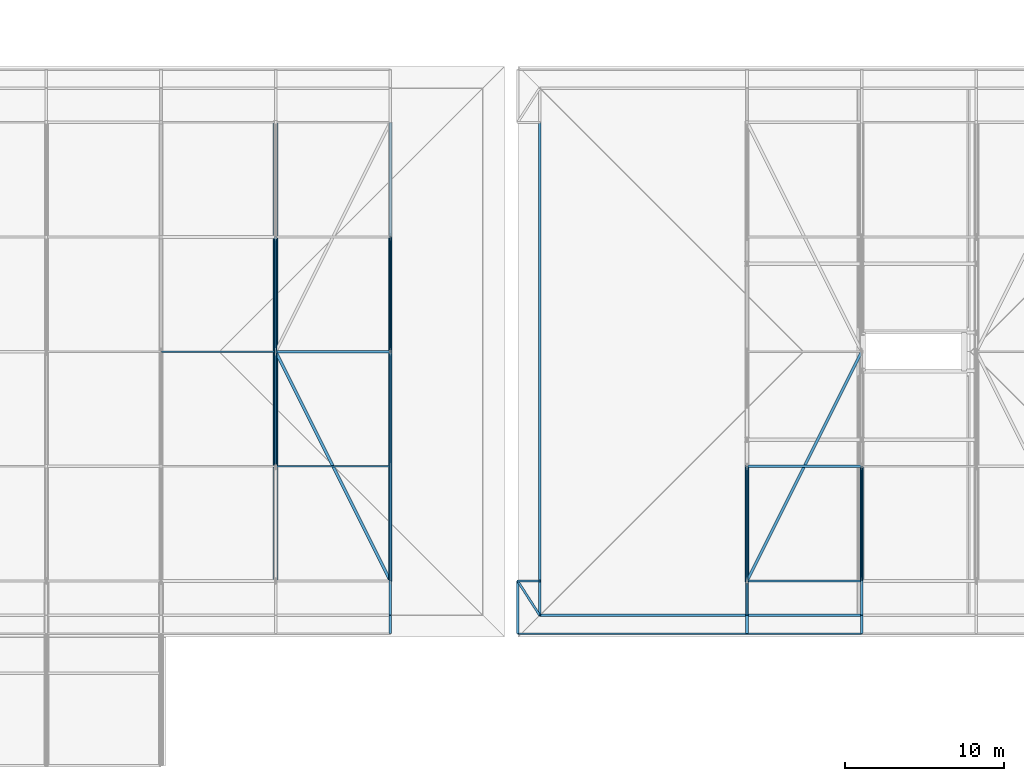
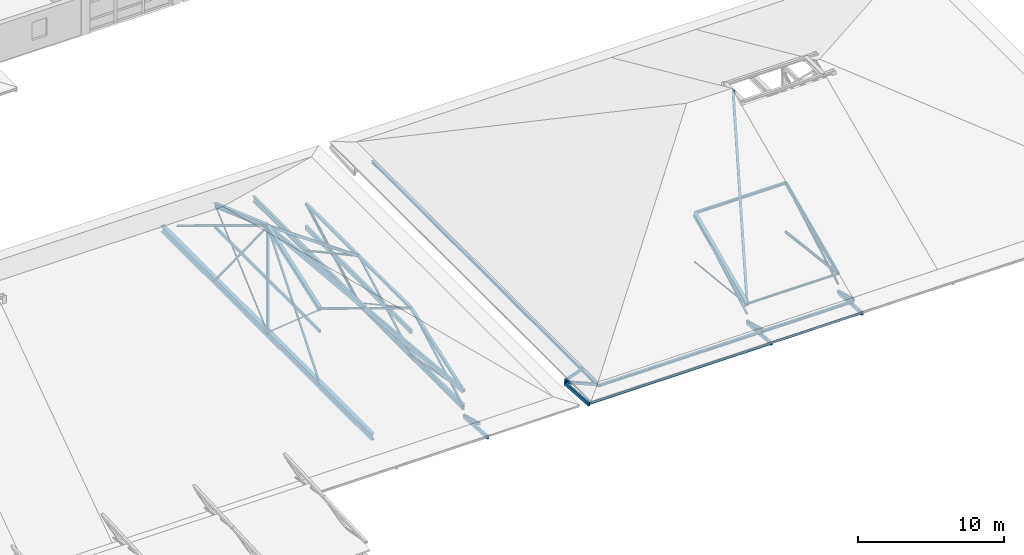
# One storey, part 10 of 100: 46 members, 2 beams.
"""IFC4 building model written with IfcOpenShell, lengths in metres."""

from ifc_helpers import new_model, si_unit, direction, frame, origin, origin_2d, place, context, subcontext, project, spatial, rectangle, hollow_rectangle, hollow_circle, i_section, extrude, material, material_profile, profile_set, type_object, element, save


model = new_model("IFC4")

# Units and contexts
model_context = context("Model", 3, precision=1e-05, world=origin(), true_north=direction((0.0, 1.0)))
body_context = subcontext(model_context, "Body", "Model", "MODEL_VIEW")
ifc_project = project(units=[si_unit("LENGTHUNIT", "METRE"), si_unit("AREAUNIT", "SQUARE_METRE"), si_unit("VOLUMEUNIT", "CUBIC_METRE"), si_unit("PLANEANGLEUNIT", "RADIAN"), si_unit("MASSUNIT", "GRAM", prefix="KILO")], contexts=[model_context])

# Site, building, storey
site_placement = place(None, origin())
site = spatial("IfcSite", under=ifc_project, at=site_placement, CompositionType="ELEMENT")
building_placement = place(site_placement, origin())
building = spatial("IfcBuilding", under=site, at=building_placement, Name="Steenspoor Specialist Clinic", CompositionType="ELEMENT")
storey_placement = place(building_placement, frame((0.0, 0.0, 9.0)))
storey = spatial("IfcBuildingStorey", under=building, at=storey_placement, Name="L02", CompositionType="ELEMENT", Elevation=9.0)

# Beams
ifc_material_1 = material(Name="Steel A992 Grade 50", Category="steel")
ifc_material_profile_1 = material_profile(ifc_material_1, i_section(OverallWidth=0.193115234375, OverallDepth=0.466064453125, WebThickness=0.011474609375, FlangeThickness=0.01904296875, at=origin_2d()), Name="W460X97")
ifc_profile_set_1 = profile_set([ifc_material_profile_1], Name="Steel A992 Grade 50")
beam_type_1 = type_object("IfcBeamType", Name="BM-ST-W460X97", PredefinedType="BEAM", material=ifc_profile_set_1)
beam_1_placement = place(storey_placement, frame((110.0, 13.050048828125, 0.2529296875), z_axis=(0.0, 1.0, 0.0), x_axis=(-1.0, 0.0, 0.0)))
element("IfcBeam", 1, at=beam_1_placement, inside=storey, type_object=beam_type_1, Name="ROOF TRUSS Bottom Tie Chord V1 10", PredefinedType="BEAM", context=body_context, shape_type="SweptSolid", body=[
    extrude(i_section(OverallWidth=0.193115234375, OverallDepth=0.466064453125, WebThickness=0.011474609375, FlangeThickness=0.01904296875, at=origin_2d()), origin(), (0.0, 0.0, 1.0), 28.800048828125),
])
ifc_material_profile_2 = material_profile(ifc_material_1, i_section(OverallWidth=0.31201171875, OverallDepth=0.54296875, WebThickness=0.0126953125, FlangeThickness=0.020263671875, at=origin_2d()), Name="W530X150")
ifc_profile_set_2 = profile_set([ifc_material_profile_2], Name="Steel A992 Grade 50")
beam_type_2 = type_object("IfcBeamType", Name="BM-ST-W530X150", PredefinedType="BEAM", material=ifc_profile_set_2)
beam_2_placement = place(storey_placement, frame((102.800048828125, 13.050048828125, 0.29150390625), z_axis=(0.0, 1.0, 0.0), x_axis=(-1.0, 0.0, 0.0)))
element("IfcBeam", 2, at=beam_2_placement, inside=storey, type_object=beam_type_2, Name="ROOF TRUSS Bottom Tie Chord V1 9", PredefinedType="BEAM", context=body_context, shape_type="SweptSolid", body=[
    extrude(i_section(OverallWidth=0.31201171875, OverallDepth=0.54296875, WebThickness=0.0126953125, FlangeThickness=0.020263671875, at=origin_2d()), origin(), (0.0, 0.0, 1.0), 28.800048828125),
])

# Members
ifc_material_2 = material(Name="Steel A500 Grade C", Category="steel")
ifc_material_profile_3 = material_profile(ifc_material_2, hollow_circle(Radius=0.084228515625, WallThickness=0.007080078125, at=origin_2d()), Name="CHS168X7.1")
ifc_profile_set_3 = profile_set([ifc_material_profile_3], Name="Steel A500 Grade C")
member_type_1 = type_object("IfcMemberType", Name="MEM-BRACE-CHS168", PredefinedType="BRACE", material=ifc_profile_set_3)
member_1_placement = place(storey_placement, frame((110.0, 27.449951171875, 4.16650390625), z_axis=(0.0, 0.878595976808, -0.477565816969), x_axis=(-1.0, 0.0, 0.0)))
element("IfcMember", 3, at=member_1_placement, inside=storey, type_object=member_type_1, Name="ROOF TRUSS Web Brace V1 10.3", PredefinedType="BRACE", context=body_context, shape_type="SweptSolid", body=[
    extrude(hollow_circle(Radius=0.084228515625, WallThickness=0.007080078125, at=origin_2d()), origin(), (0.0, 0.0, 1.0), 8.19482421875),
])
member_2_placement = place(storey_placement, frame((139.60009765625, 13.050048828125, 0.174072265625), z_axis=(0.0, 0.868103625406, 0.496383012961), x_axis=(-1.0, 0.0, 0.0)))
element("IfcMember", 4, at=member_2_placement, inside=storey, type_object=member_type_1, Name="ROOF TRUSS Web Brace V2 4.1", PredefinedType="BRACE", context=body_context, shape_type="SweptSolid", body=[
    extrude(hollow_circle(Radius=0.084228515625, WallThickness=0.007080078125, at=origin_2d()), origin(), (0.0, 0.0, 1.0), 8.2939453125),
])
ifc_material_profile_4 = material_profile(ifc_material_2, hollow_rectangle(XDim=0.126953125, YDim=0.126953125, WallThickness=0.0087890625, at=origin_2d()), Name="HSS127X127X9.5")
ifc_profile_set_4 = profile_set([ifc_material_profile_4], Name="Steel A500 Grade C")
member_type_2 = type_object("IfcMemberType", Name="MEM-BRACE-H127A", PredefinedType="BRACE", material=ifc_profile_set_4)
member_3_placement = place(storey_placement, frame((102.800048828125, 20.25, 0.29150390625), z_axis=(0.0, 0.629637268652, 0.776889252033), x_axis=(-1.0, 0.0, 0.0)))
element("IfcMember", 5, at=member_3_placement, inside=storey, type_object=member_type_2, Name="ROOF TRUSS Web Brace V1 9.2", PredefinedType="BRACE", context=body_context, shape_type="SweptSolid", body=[
    extrude(hollow_rectangle(XDim=0.126953125, YDim=0.126953125, WallThickness=0.0087890625, at=origin_2d()), origin(), (0.0, 0.0, 1.0), 11.43505859375),
])
member_4_placement = place(storey_placement, frame((110.0, 13.050048828125, 0.2529296875), z_axis=(0.0, 0.878595976808, 0.477565816969), x_axis=(-1.0, 0.0, 0.0)))
element("IfcMember", 6, at=member_4_placement, inside=storey, type_object=member_type_2, Name="ROOF TRUSS Web Brace V1 10.1", PredefinedType="BRACE", context=body_context, shape_type="SweptSolid", body=[
    extrude(hollow_rectangle(XDim=0.126953125, YDim=0.126953125, WallThickness=0.0087890625, at=origin_2d()), origin(), (0.0, 0.0, 1.0), 8.19482421875),
])
ifc_material_profile_5 = material_profile(ifc_material_2, hollow_rectangle(XDim=0.126953125, YDim=0.126953125, WallThickness=0.005859375, at=origin_2d()), Name="HSS127X127X6.4")
ifc_profile_set_5 = profile_set([ifc_material_profile_5], Name="Steel A500 Grade C")
member_type_3 = type_object("IfcMemberType", Name="MEM-BRACE-H127B", PredefinedType="BRACE", material=ifc_profile_set_5)
member_5_placement = place(storey_placement, frame((102.800048828125, 27.449951171875, 9.17529296875), z_axis=(0.0, 0.629637268652, -0.776889252033), x_axis=(-1.0, 0.0, 0.0)))
element("IfcMember", 7, at=member_5_placement, inside=storey, type_object=member_type_3, Name="ROOF TRUSS Web Brace V1 9.3", PredefinedType="BRACE", context=body_context, shape_type="SweptSolid", body=[
    extrude(hollow_rectangle(XDim=0.126953125, YDim=0.126953125, WallThickness=0.005859375, at=origin_2d()), origin(), (0.0, 0.0, 1.0), 11.43505859375),
])
member_6_placement = place(storey_placement, frame((110.0, 20.25, 0.2529296875), z_axis=(0.0, 0.878595976808, 0.477565816969), x_axis=(-1.0, 0.0, 0.0)))
element("IfcMember", 8, at=member_6_placement, inside=storey, type_object=member_type_3, Name="ROOF TRUSS Web Brace V1 10.2", PredefinedType="BRACE", context=body_context, shape_type="SweptSolid", body=[
    extrude(hollow_rectangle(XDim=0.126953125, YDim=0.126953125, WallThickness=0.005859375, at=origin_2d()), origin(), (0.0, 0.0, 1.0), 8.19482421875),
])
member_7_placement = place(storey_placement, frame((132.39990234375, 13.050048828125, 0.201416015625), z_axis=(0.0, 0.873299671709, 0.487183418635), x_axis=(-1.0, 0.0, 0.0)))
element("IfcMember", 9, at=member_7_placement, inside=storey, type_object=member_type_3, Name="ROOF TRUSS Web Brace V2 3.1", PredefinedType="BRACE", context=body_context, shape_type="SweptSolid", body=[
    extrude(hollow_rectangle(XDim=0.126953125, YDim=0.126953125, WallThickness=0.005859375, at=origin_2d()), origin(), (0.0, 0.0, 1.0), 8.24462890625),
])
ifc_material_profile_6 = material_profile(ifc_material_2, hollow_rectangle(XDim=0.203125, YDim=0.203125, WallThickness=0.01171875, at=origin_2d()), Name="HSS203X203X12.7")
ifc_profile_set_6 = profile_set([ifc_material_profile_6], Name="Steel A500 Grade C")
member_type_4 = type_object("IfcMemberType", Name="MEM-CHORD-H203", PredefinedType="CHORD", material=ifc_profile_set_6)
member_8_placement = place(storey_placement, frame((110.0, 13.050048828125, 1.580078125), z_axis=(0.0, 0.941118667629, 0.338076401779), x_axis=(-1.0, 0.0, 0.0)))
element("IfcMember", 10, at=member_8_placement, inside=storey, type_object=member_type_4, Name="ROOF TRUSS Top Chord V1 10.1", PredefinedType="CHORD", context=body_context, shape_type="SweptSolid", body=[
    extrude(hollow_rectangle(XDim=0.203125, YDim=0.203125, WallThickness=0.01171875, at=origin_2d()), origin(), (0.0, 0.0, 1.0), 7.650390625),
])
for number, where, z_axis, x_axis, name in (
    (11, (110.0, 20.25, 4.16650390625), (0.0, 1.0, 0.0), (-1.0, 0.0, 0.0), "ROOF TRUSS Top Chord V1 10.2"),
    (12, (110.0, 27.449951171875, 4.16650390625), (0.0, 1.0, 0.0), (-1.0, 0.0, 0.0), "ROOF TRUSS Top Chord V1 10.3"),
):
    element("IfcMember", number, at=place(storey_placement, frame(where, z_axis=z_axis, x_axis=x_axis)), inside=storey, type_object=member_type_4, Name=name, PredefinedType="CHORD", context=body_context, shape_type="SweptSolid", body=[
        extrude(hollow_rectangle(XDim=0.203125, YDim=0.203125, WallThickness=0.01171875, at=origin_2d()), origin(), (0.0, 0.0, 1.0), 7.199951171875),
    ])
member_9_placement = place(storey_placement, frame((139.60009765625, 13.050048828125, 1.0439453125), z_axis=(0.0, 0.911585166911, 0.411111278692), x_axis=(-1.0, 0.0, 0.0)))
element("IfcMember", 13, at=member_9_placement, inside=storey, type_object=member_type_4, Name="ROOF TRUSS Top Chord V2 4.1", PredefinedType="CHORD", context=body_context, shape_type="SweptSolid", body=[
    extrude(hollow_rectangle(XDim=0.203125, YDim=0.203125, WallThickness=0.01171875, at=origin_2d()), origin(), (0.0, 0.0, 1.0), 7.898193359375),
])
ifc_material_profile_7 = material_profile(ifc_material_1, i_section(OverallWidth=0.257080078125, OverallDepth=0.363037109375, WebThickness=0.012939453125, FlangeThickness=0.021728515625, at=origin_2d()), Name="W360X122")
ifc_profile_set_7 = profile_set([ifc_material_profile_7], Name="Steel A992 Grade 50")
member_type_5 = type_object("IfcMemberType", Name="MEM-CHORD-W360", PredefinedType="CHORD", material=ifc_profile_set_7)
for number, where, z_axis, x_axis, name in (
    (14, (102.800048828125, 20.25, 6.589111328125), (0.0, 0.941128820776, 0.338048136668), (-1.0, 0.0, 0.0), "ROOF TRUSS Top Chord V1 9.2"),
    (15, (102.800048828125, 27.449951171875, 9.17529296875), (0.0, 0.941128820776, -0.338048136668), (-1.0, 0.0, 0.0), "ROOF TRUSS Top Chord V1 9.3"),
):
    element("IfcMember", number, at=place(storey_placement, frame(where, z_axis=z_axis, x_axis=x_axis)), inside=storey, type_object=member_type_5, Name=name, PredefinedType="CHORD", context=body_context, shape_type="SweptSolid", body=[
        extrude(i_section(OverallWidth=0.257080078125, OverallDepth=0.363037109375, WebThickness=0.012939453125, FlangeThickness=0.021728515625, at=origin_2d()), origin(), (0.0, 0.0, 1.0), 7.650390625),
    ])
member_10_placement = place(storey_placement, frame((132.39990234375, 13.050048828125, 0.97119140625), z_axis=(0.0, 0.911596750852, 0.411085591861), x_axis=(-1.0, 0.0, 0.0)))
element("IfcMember", 16, at=member_10_placement, inside=storey, type_object=member_type_5, Name="ROOF TRUSS Top Chord V2 3.1", PredefinedType="CHORD", context=body_context, shape_type="SweptSolid", body=[
    extrude(i_section(OverallWidth=0.257080078125, OverallDepth=0.363037109375, WebThickness=0.012939453125, FlangeThickness=0.021728515625, at=origin_2d()), origin(), (0.0, 0.0, 1.0), 7.898193359375),
])
ifc_material_profile_8 = material_profile(ifc_material_2, hollow_rectangle(XDim=0.1015625, YDim=0.15234375, WallThickness=0.005859375, at=origin_2d()), Name="HSS152X102X6.4")
ifc_profile_set_8 = profile_set([ifc_material_profile_8], Name="Steel A500 Grade C")
member_type_6 = type_object("IfcMemberType", Name="MEM-PURLIN-H152", PredefinedType="PURLIN", material=ifc_profile_set_8)
member_11_placement = place(storey_placement, frame((118.0, 9.75, -0.243408203125), z_axis=(1.0, 0.0, 0.0), x_axis=(0.0, 1.0, 0.0)))
element("IfcMember", 17, at=member_11_placement, inside=storey, type_object=member_type_6, Name="ROOF TRUSS Eave Fascia 94", PredefinedType="PURLIN", context=body_context, shape_type="SweptSolid", body=[
    extrude(hollow_rectangle(XDim=0.1015625, YDim=0.15234375, WallThickness=0.005859375, at=origin_2d()), origin(), (0.0, 0.0, 1.0), 14.39990234375),
])
member_12_placement = place(storey_placement, frame((132.39990234375, 9.75, -0.19482421875), z_axis=(1.0, 0.0, 0.0), x_axis=(0.0, 1.0, 0.0)))
element("IfcMember", 18, at=member_12_placement, inside=storey, type_object=member_type_6, Name="ROOF TRUSS Eave Fascia 95", PredefinedType="PURLIN", context=body_context, shape_type="SweptSolid", body=[
    extrude(hollow_rectangle(XDim=0.1015625, YDim=0.15234375, WallThickness=0.005859375, at=origin_2d()), origin(), (0.0, 0.0, 1.0), 7.2001953125),
])
ifc_material_profile_9 = material_profile(ifc_material_1, i_section(OverallWidth=0.10205078125, OverallDepth=0.159912109375, WebThickness=0.006591796875, FlangeThickness=0.01025390625, at=origin_2d()), Name="W150X24")
ifc_profile_set_9 = profile_set([ifc_material_profile_9], Name="Steel A992 Grade 50")
member_type_7 = type_object("IfcMemberType", Name="MEM-PURLIN-W150", PredefinedType="PURLIN", material=ifc_profile_set_9)
for number, where, z_axis, x_axis, name in (
    (19, (95.60009765625, 27.449951171875, 11.7314453125), (0.945178335277, 0.0, -0.326554611852), (0.0, 1.0, 0.0), "ROOF TRUSS Purlin 74"),
    (20, (102.800048828125, 20.25, 6.657470703125), (0.945168442726, 0.0, -0.326583243409), (0.0, 1.0, 0.0), "ROOF TRUSS Purlin 78"),
):
    element("IfcMember", number, at=place(storey_placement, frame(where, z_axis=z_axis, x_axis=x_axis)), inside=storey, type_object=member_type_7, Name=name, PredefinedType="PURLIN", context=body_context, shape_type="SweptSolid", body=[
        extrude(i_section(OverallWidth=0.10205078125, OverallDepth=0.159912109375, WebThickness=0.006591796875, FlangeThickness=0.01025390625, at=origin_2d()), origin(), (0.0, 0.0, 1.0), 7.61767578125),
    ])
member_13_placement = place(storey_placement, frame((132.39990234375, 13.050048828125, 1.056640625), z_axis=(1.0, 0.0, 0.0), x_axis=(0.0, 1.0, 0.0)))
element("IfcMember", 21, at=member_13_placement, inside=storey, type_object=member_type_7, Name="ROOF TRUSS Purlin 127", PredefinedType="PURLIN", context=body_context, shape_type="SweptSolid", body=[
    extrude(i_section(OverallWidth=0.10205078125, OverallDepth=0.159912109375, WebThickness=0.006591796875, FlangeThickness=0.01025390625, at=origin_2d()), origin(), (0.0, 0.0, 1.0), 7.2001953125),
])
ifc_material_profile_10 = material_profile(ifc_material_1, i_section(OverallWidth=0.1650390625, OverallDepth=0.200927734375, WebThickness=0.006103515625, FlangeThickness=0.01025390625, at=origin_2d()), Name="W200X36")
ifc_profile_set_10 = profile_set([ifc_material_profile_10], Name="Steel A992 Grade 50")
member_type_8 = type_object("IfcMemberType", Name="MEM-PURLIN-W200", PredefinedType="PURLIN", material=ifc_profile_set_10)
member_14_placement = place(storey_placement, frame((102.800048828125, 27.449951171875, 9.223388671875), z_axis=(0.817400862254, 0.0, -0.576069293042), x_axis=(0.0, 1.0, 0.0)))
element("IfcMember", 22, at=member_14_placement, inside=storey, type_object=member_type_8, Name="ROOF TRUSS Purlin 79", PredefinedType="PURLIN", context=body_context, shape_type="SweptSolid", body=[
    extrude(i_section(OverallWidth=0.1650390625, OverallDepth=0.200927734375, WebThickness=0.006103515625, FlangeThickness=0.01025390625, at=origin_2d()), origin(), (0.0, 0.0, 1.0), 8.808349609375),
])
member_15_placement = place(storey_placement, frame((119.3798828125, 10.89990234375, 0.068603515625), z_axis=(1.0, 0.0, 0.0), x_axis=(0.0, 1.0, 0.0)))
element("IfcMember", 23, at=member_15_placement, inside=storey, type_object=member_type_8, Name="ROOF TRUSS Knuckle Purlin 109", PredefinedType="PURLIN", context=body_context, shape_type="SweptSolid", body=[
    extrude(i_section(OverallWidth=0.1650390625, OverallDepth=0.200927734375, WebThickness=0.006103515625, FlangeThickness=0.01025390625, at=origin_2d()), origin(), (0.0, 0.0, 1.0), 13.02001953125),
])
member_16_placement = place(storey_placement, frame((132.39990234375, 10.89990234375, 0.068603515625), z_axis=(1.0, 0.0, 0.0), x_axis=(0.0, 1.0, 0.0)))
element("IfcMember", 24, at=member_16_placement, inside=storey, type_object=member_type_8, Name="ROOF TRUSS Knuckle Purlin 111", PredefinedType="PURLIN", context=body_context, shape_type="SweptSolid", body=[
    extrude(i_section(OverallWidth=0.1650390625, OverallDepth=0.200927734375, WebThickness=0.006103515625, FlangeThickness=0.01025390625, at=origin_2d()), origin(), (0.0, 0.0, 1.0), 7.2001953125),
])
member_17_placement = place(storey_placement, frame((119.3798828125, 10.89990234375, 0.068603515625), z_axis=(0.0, 1.0, 0.0), x_axis=(-1.0, 0.0, 0.0)))
element("IfcMember", 25, at=member_17_placement, inside=storey, type_object=member_type_8, Name="ROOF TRUSS Knuckle Purlin 121", PredefinedType="PURLIN", context=body_context, shape_type="SweptSolid", body=[
    extrude(i_section(OverallWidth=0.1650390625, OverallDepth=0.200927734375, WebThickness=0.006103515625, FlangeThickness=0.01025390625, at=origin_2d()), origin(), (0.0, 0.0, 1.0), 2.150146484375),
])
member_18_placement = place(storey_placement, frame((119.3798828125, 13.050048828125, 0.068603515625), z_axis=(0.0, 1.0, 0.0), x_axis=(-1.0, 0.0, 0.0)))
element("IfcMember", 26, at=member_18_placement, inside=storey, type_object=member_type_8, Name="ROOF TRUSS Knuckle Purlin 122", PredefinedType="PURLIN", context=body_context, shape_type="SweptSolid", body=[
    extrude(i_section(OverallWidth=0.1650390625, OverallDepth=0.200927734375, WebThickness=0.006103515625, FlangeThickness=0.01025390625, at=origin_2d()), origin(), (0.0, 0.0, 1.0), 28.800048828125),
])
member_19_placement = place(storey_placement, frame((132.39990234375, 20.25, 4.282958984375), z_axis=(1.0, 0.0, 0.0), x_axis=(0.0, 1.0, 0.0)))
element("IfcMember", 27, at=member_19_placement, inside=storey, type_object=member_type_8, Name="ROOF TRUSS Purlin 128", PredefinedType="PURLIN", context=body_context, shape_type="SweptSolid", body=[
    extrude(i_section(OverallWidth=0.1650390625, OverallDepth=0.200927734375, WebThickness=0.006103515625, FlangeThickness=0.01025390625, at=origin_2d()), origin(), (0.0, 0.0, 1.0), 7.2001953125),
])
ifc_material_3 = material(Name="Glulam GL28h", Category="wood")
ifc_material_profile_11 = material_profile(ifc_material_3, rectangle(XDim=0.139892578125, YDim=0.219970703125, at=origin_2d()), Name="GL28H-140X220")
ifc_profile_set_11 = profile_set([ifc_material_profile_11], Name="Glulam GL28h")
member_type_9 = type_object("IfcMemberType", Name="MEM-RAFTER-GL220", PredefinedType="RAFTER", material=ifc_profile_set_11)
member_20_placement = place(storey_placement, frame((110.0, 13.050048828125, -0.42333984375), z_axis=(0.0, -0.963218029425, 0.268721096661), x_axis=(1.0, 0.0, 0.0)))
element("IfcMember", 28, at=member_20_placement, inside=storey, type_object=member_type_9, Name="ROOF TRUSS Knuckle Rafter V1 34", PredefinedType="RAFTER", context=body_context, shape_type="SweptSolid", body=[
    extrude(rectangle(XDim=0.139892578125, YDim=0.219970703125, at=origin_2d()), origin(), (0.0, 0.0, 1.0), 2.232177734375),
])
member_21_placement = place(storey_placement, frame((102.800048828125, 20.25, 4.73291015625), z_axis=(0.0, 1.0, 0.0), x_axis=(-1.0, 0.0, 0.0)))
element("IfcMember", 29, at=member_21_placement, inside=storey, type_object=member_type_9, Name="ROOF TRUSS Glulam Collar Rafter V1 9", PredefinedType="RAFTER", context=body_context, shape_type="SweptSolid", body=[
    extrude(rectangle(XDim=0.139892578125, YDim=0.219970703125, at=origin_2d()), origin(), (0.0, 0.0, 1.0), 14.39990234375),
])
member_22_placement = place(storey_placement, frame((102.800048828125, 27.449951171875, 0.179931640625), z_axis=(0.0, 0.0, 1.0), x_axis=(1.0, 0.0, 0.0)))
element("IfcMember", 30, at=member_22_placement, inside=storey, type_object=member_type_9, Name="ROOF TRUSS Hip King Post V1 E", PredefinedType="RAFTER", context=body_context, shape_type="SweptSolid", body=[
    extrude(rectangle(XDim=0.139892578125, YDim=0.219970703125, at=origin_2d()), origin(), (0.0, 0.0, 1.0), 9.035400390625),
])
for number, where, z_axis, x_axis, name in (
    (31, (132.39990234375, 13.050048828125, -0.404296875), (0.0, -0.965398455833, 0.260779258139), (1.0, 0.0, 0.0), "ROOF TRUSS Knuckle Rafter V2 48"),
    (32, (139.60009765625, 13.050048828125, -0.404296875), (0.0, -0.965398455833, 0.260779258139), (1.0, 0.0, 0.0), "ROOF TRUSS Knuckle Rafter V2 52"),
):
    element("IfcMember", number, at=place(storey_placement, frame(where, z_axis=z_axis, x_axis=x_axis)), inside=storey, type_object=member_type_9, Name=name, PredefinedType="RAFTER", context=body_context, shape_type="SweptSolid", body=[
        extrude(rectangle(XDim=0.139892578125, YDim=0.219970703125, at=origin_2d()), origin(), (0.0, 0.0, 1.0), 2.227294921875),
    ])
member_23_placement = place(storey_placement, frame((118.0, 13.050048828125, -0.331298828125), z_axis=(0.938467789517, 0.0, 0.345366773212), x_axis=(0.0, 1.0, 0.0)))
element("IfcMember", 33, at=member_23_placement, inside=storey, type_object=member_type_9, Name="ROOF TRUSS Knuckle Rafter V2 67", PredefinedType="RAFTER", context=body_context, shape_type="SweptSolid", body=[
    extrude(rectangle(XDim=0.139892578125, YDim=0.219970703125, at=origin_2d()), origin(), (0.0, 0.0, 1.0), 1.470458984375),
])
member_24_placement = place(storey_placement, frame((118.0, 13.050048828125, -0.4423828125), z_axis=(0.524923070346, -0.817940106252, 0.235435241211), x_axis=(0.841597375976, 0.540105412628, 0.0)))
element("IfcMember", 34, at=member_24_placement, inside=storey, type_object=member_type_9, Name="ROOF TRUSS Corner Knuckle Rafter V2 73", PredefinedType="RAFTER", context=body_context, shape_type="SweptSolid", body=[
    extrude(rectangle(XDim=0.139892578125, YDim=0.219970703125, at=origin_2d()), origin(), (0.0, 0.0, 1.0), 2.628662109375),
])
ifc_material_profile_12 = material_profile(ifc_material_3, rectangle(XDim=0.159912109375, YDim=0.280029296875, at=origin_2d()), Name="GL28H-160X280")
ifc_profile_set_12 = profile_set([ifc_material_profile_12], Name="Glulam GL28h")
member_type_10 = type_object("IfcMemberType", Name="MEM-RAFTER-GL280", PredefinedType="RAFTER", material=ifc_profile_set_12)
for number, where, z_axis, x_axis, name in (
    (35, (110.0, 13.050048828125, -0.5), (0.0, -0.997518653982, 0.070402663009), (1.0, 0.0, 0.0), "ROOF TRUSS Flared Eave Glulam Outrigger V1 33"),
    (36, (118.0, 13.050048828125, -0.5400390625), (0.0, -0.997518653982, 0.070402663009), (1.0, 0.0, 0.0), "ROOF TRUSS Flared Eave Glulam Outrigger V2 45"),
    (37, (132.39990234375, 13.050048828125, -0.5), (0.0, -0.997518653982, 0.070402663009), (1.0, 0.0, 0.0), "ROOF TRUSS Flared Eave Glulam Outrigger V2 47"),
    (38, (139.60009765625, 13.050048828125, -0.5), (0.0, -0.997518653982, 0.070402663009), (1.0, 0.0, 0.0), "ROOF TRUSS Flared Eave Glulam Outrigger V2 51"),
):
    element("IfcMember", number, at=place(storey_placement, frame(where, z_axis=z_axis, x_axis=x_axis)), inside=storey, type_object=member_type_10, Name=name, PredefinedType="RAFTER", context=body_context, shape_type="SweptSolid", body=[
        extrude(rectangle(XDim=0.159912109375, YDim=0.280029296875, at=origin_2d()), origin(), (0.0, 0.0, 1.0), 3.308349609375),
    ])
ifc_material_profile_13 = material_profile(ifc_material_3, rectangle(XDim=0.179931640625, YDim=0.360107421875, at=origin_2d()), Name="GL28H-180X360")
ifc_profile_set_13 = profile_set([ifc_material_profile_13], Name="Glulam GL28h")
member_type_11 = type_object("IfcMemberType", Name="MEM-RAFTER-GL360", PredefinedType="RAFTER", material=ifc_profile_set_13)
member_25_placement = place(storey_placement, frame((110.0, 20.25, 2.209228515625), z_axis=(0.0, 1.0, 0.0), x_axis=(-1.0, 0.0, 0.0)))
element("IfcMember", 39, at=member_25_placement, inside=storey, type_object=member_type_11, Name="ROOF TRUSS Glulam Collar Rafter V1 10", PredefinedType="RAFTER", context=body_context, shape_type="SweptSolid", body=[
    extrude(rectangle(XDim=0.179931640625, YDim=0.360107421875, at=origin_2d()), origin(), (0.0, 0.0, 1.0), 14.39990234375),
])
member_26_placement = place(storey_placement, frame((110.0, 13.050048828125, 1.580078125), z_axis=(-0.40446370057, 0.80892740114, 0.426667991073), x_axis=(-0.894427191, -0.4472135955, 0.0)))
element("IfcMember", 40, at=member_26_placement, inside=storey, type_object=member_type_11, Name="ROOF TRUSS Hip Rafter V1 84", PredefinedType="RAFTER", context=body_context, shape_type="SweptSolid", body=[
    extrude(rectangle(XDim=0.179931640625, YDim=0.360107421875, at=origin_2d()), origin(), (0.0, 0.0, 1.0), 17.80126953125),
])
member_27_placement = place(storey_placement, frame((132.39990234375, 13.050048828125, 0.97119140625), z_axis=(0.414104731994, 0.828181381476, 0.377667671791), x_axis=(-0.894421125195, 0.447225726904, 0.0)))
element("IfcMember", 41, at=member_27_placement, inside=storey, type_object=member_type_11, Name="ROOF TRUSS Hip Rafter V2 141", PredefinedType="RAFTER", context=body_context, shape_type="SweptSolid", body=[
    extrude(rectangle(XDim=0.179931640625, YDim=0.360107421875, at=origin_2d()), origin(), (0.0, 0.0, 1.0), 17.387451171875),
])
ifc_material_profile_14 = material_profile(ifc_material_2, hollow_circle(Radius=0.05712890625, WallThickness=0.006103515625, at=origin_2d()), Name="CHS114X6.0")
ifc_profile_set_14 = profile_set([ifc_material_profile_14], Name="Steel A500 Grade C")
member_type_12 = type_object("IfcMemberType", Name="MEM-STRUT-CHS114", PredefinedType="STRUT", material=ifc_profile_set_14)
member_28_placement = place(storey_placement, frame((102.800048828125, 27.449951171875, 0.29150390625), z_axis=(0.0, 0.752698424237, 0.658365462453), x_axis=(-1.0, 0.0, 0.0)))
element("IfcMember", 42, at=member_28_placement, inside=storey, type_object=member_type_12, Name="ROOF TRUSS Web Strut V1 9.3", PredefinedType="STRUT", context=body_context, shape_type="SweptSolid", body=[
    extrude(hollow_circle(Radius=0.05712890625, WallThickness=0.006103515625, at=origin_2d()), origin(), (0.0, 0.0, 1.0), 9.5654296875),
])
member_29_placement = place(storey_placement, frame((110.0, 20.25, 4.16650390625), z_axis=(0.0, 0.878595976808, -0.477565816969), x_axis=(-1.0, 0.0, 0.0)))
element("IfcMember", 43, at=member_29_placement, inside=storey, type_object=member_type_12, Name="ROOF TRUSS Web Strut V1 10.2", PredefinedType="STRUT", context=body_context, shape_type="SweptSolid", body=[
    extrude(hollow_circle(Radius=0.05712890625, WallThickness=0.006103515625, at=origin_2d()), origin(), (0.0, 0.0, 1.0), 8.19482421875),
])
member_30_placement = place(storey_placement, frame((132.39990234375, 13.050048828125, 0.97119140625), z_axis=(0.0, 0.99433323597, -0.106308117494), x_axis=(-1.0, 0.0, 0.0)))
element("IfcMember", 44, at=member_30_placement, inside=storey, type_object=member_type_12, Name="ROOF TRUSS Web Strut V2 3.1", PredefinedType="STRUT", context=body_context, shape_type="SweptSolid", body=[
    extrude(hollow_circle(Radius=0.05712890625, WallThickness=0.006103515625, at=origin_2d()), origin(), (0.0, 0.0, 1.0), 7.240966796875),
])
ifc_material_profile_15 = material_profile(ifc_material_2, hollow_circle(Radius=0.109619140625, WallThickness=0.00830078125, at=origin_2d()), Name="CHS219X8.2")
ifc_profile_set_15 = profile_set([ifc_material_profile_15], Name="Steel A500 Grade C")
member_type_13 = type_object("IfcMemberType", Name="MEM-STRUT-CHS219", PredefinedType="STRUT", material=ifc_profile_set_15)
member_31_placement = place(storey_placement, frame((110.0, 27.449951171875, 0.2529296875), z_axis=(0.0, 0.878595976808, 0.477565816969), x_axis=(-1.0, 0.0, 0.0)))
element("IfcMember", 45, at=member_31_placement, inside=storey, type_object=member_type_13, Name="ROOF TRUSS Web Strut V1 10.3", PredefinedType="STRUT", context=body_context, shape_type="SweptSolid", body=[
    extrude(hollow_circle(Radius=0.109619140625, WallThickness=0.00830078125, at=origin_2d()), origin(), (0.0, 0.0, 1.0), 8.19482421875),
])
member_32_placement = place(storey_placement, frame((139.60009765625, 13.050048828125, 1.0439453125), z_axis=(0.0, 0.992780622714, -0.119944300252), x_axis=(-1.0, 0.0, 0.0)))
element("IfcMember", 46, at=member_32_placement, inside=storey, type_object=member_type_13, Name="ROOF TRUSS Web Strut V2 4.1", PredefinedType="STRUT", context=body_context, shape_type="SweptSolid", body=[
    extrude(hollow_circle(Radius=0.109619140625, WallThickness=0.00830078125, at=origin_2d()), origin(), (0.0, 0.0, 1.0), 7.252197265625),
])
ifc_material_profile_16 = material_profile(ifc_material_2, hollow_rectangle(XDim=0.1015625, YDim=0.1015625, WallThickness=0.005859375, at=origin_2d()), Name="HSS102X102X6.4")
ifc_profile_set_16 = profile_set([ifc_material_profile_16], Name="Steel A500 Grade C")
member_type_14 = type_object("IfcMemberType", Name="MEM-STRUT-H102", PredefinedType="STRUT", material=ifc_profile_set_16)
member_33_placement = place(storey_placement, frame((102.800048828125, 20.25, 6.589111328125), z_axis=(0.0, 0.752698424237, -0.658365462453), x_axis=(-1.0, 0.0, 0.0)))
element("IfcMember", 47, at=member_33_placement, inside=storey, type_object=member_type_14, Name="ROOF TRUSS Web Strut V1 9.2", PredefinedType="STRUT", context=body_context, shape_type="SweptSolid", body=[
    extrude(hollow_rectangle(XDim=0.1015625, YDim=0.1015625, WallThickness=0.005859375, at=origin_2d()), origin(), (0.0, 0.0, 1.0), 9.5654296875),
])
member_34_placement = place(storey_placement, frame((110.0, 13.050048828125, 1.580078125), z_axis=(0.0, 0.983432700666, -0.181273614351), x_axis=(-1.0, 0.0, 0.0)))
element("IfcMember", 48, at=member_34_placement, inside=storey, type_object=member_type_14, Name="ROOF TRUSS Web Strut V1 10.1", PredefinedType="STRUT", context=body_context, shape_type="SweptSolid", body=[
    extrude(hollow_rectangle(XDim=0.1015625, YDim=0.1015625, WallThickness=0.005859375, at=origin_2d()), origin(), (0.0, 0.0, 1.0), 7.3212890625),
])

save(model, "model.ifc")
